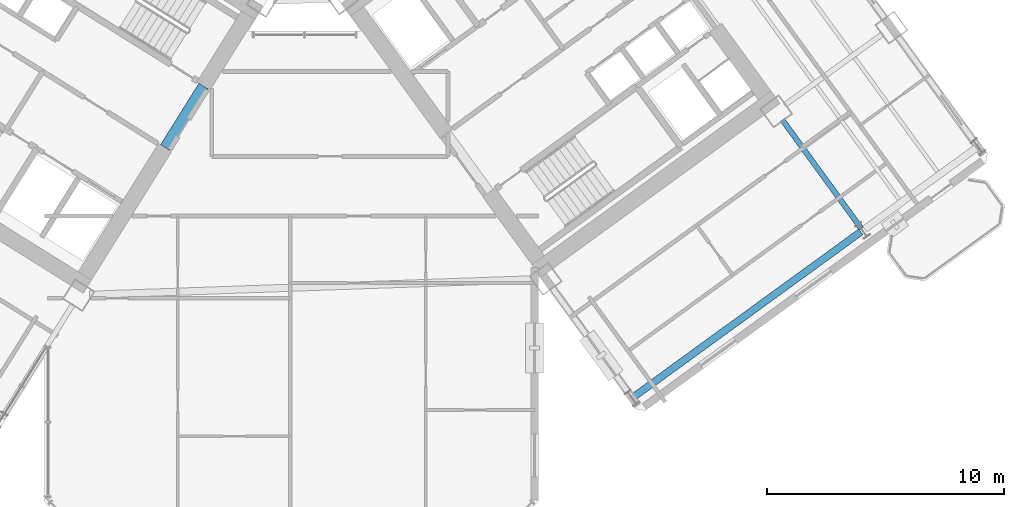
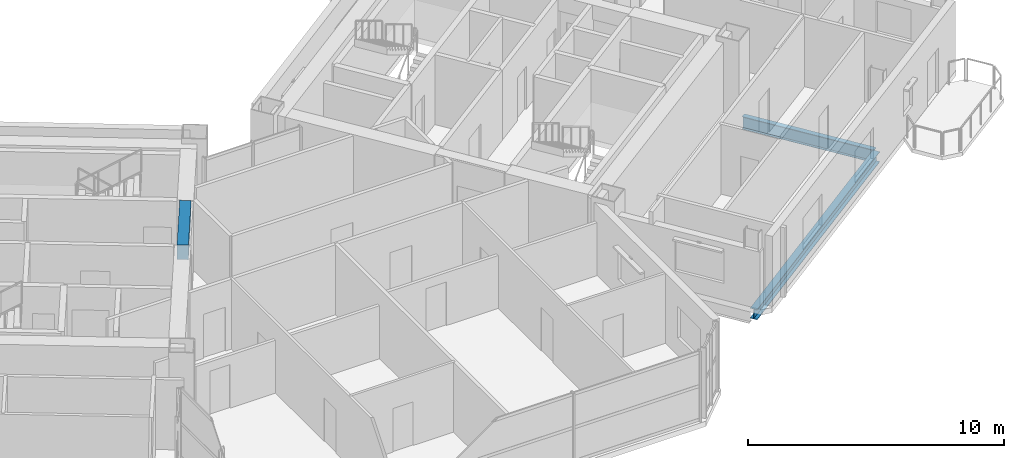
# One storey, part 10 of 24: 3 beams.
"""IFC4 building model written with IfcOpenShell, lengths in metres."""

from ifc_helpers import new_model, si_unit, direction, frame, origin, origin_2d, place, context, subcontext, project, spatial, rectangle, i_section, extrude, source, transform, mapped, material, material_profile, profile_set, type_object, element, save


model = new_model("IFC4")

# Units and contexts
model_context = context("Model", 3, precision=1e-05, world=origin(), true_north=direction((0.0, 1.0)))
body_context = subcontext(model_context, "Body", "Model", "MODEL_VIEW")
ifc_project = project(units=[si_unit("LENGTHUNIT", "METRE"), si_unit("AREAUNIT", "SQUARE_METRE"), si_unit("VOLUMEUNIT", "CUBIC_METRE"), si_unit("PLANEANGLEUNIT", "RADIAN"), si_unit("MASSUNIT", "GRAM", prefix="KILO")], contexts=[model_context])

# Site, building, storey
site_placement = place(None, origin())
site = spatial("IfcSite", under=ifc_project, at=site_placement, CompositionType="ELEMENT")
building_placement = place(site_placement, origin())
building = spatial("IfcBuilding", under=site, at=building_placement, Name="Tlacorven Tower", CompositionType="ELEMENT")
storey_placement = place(building_placement, frame((0.0, 0.0, 31.199951171875)))
storey = spatial("IfcBuildingStorey", under=building, at=storey_placement, Name="L07", CompositionType="ELEMENT", Elevation=31.199951171875)

# Beams
ifc_material_1 = material(Name="Concrete C60/75", Category="concrete")
ifc_material_profile_1 = material_profile(ifc_material_1, rectangle(XDim=0.449951171875, YDim=0.699951171875, at=origin_2d()), Name="RC 450X700")
ifc_profile_set_1 = profile_set([ifc_material_profile_1], Name="Concrete C60/75")
beam_type_1 = type_object("IfcBeamType", Name="BM-LNT-700", PredefinedType="LINTEL", material=ifc_profile_set_1)
shared_shape_1 = source(origin(), body_context, "Body", "SweptSolid", [
    extrude(rectangle(XDim=0.449951171875, YDim=0.699951171875, at=origin_2d()), origin(), (0.0, 0.0, 1.0), 3.050048828125),
])
beam_1_placement = place(storey_placement, frame((38.2998046875, 20.890625, 3.0), z_axis=(-0.529984549635, -0.848007297815, 0.0), x_axis=(0.848007297815, -0.529984549635, 0.0)))
element("IfcBeam", 1, at=beam_1_placement, inside=storey, type_object=beam_type_1, Name="L07 W core coupling lintel beam E1", PredefinedType="LINTEL", context=body_context, shape_type="MappedRepresentation", body=[
    mapped(shared_shape_1, transform((0.0, 0.0, 0.0), scale=1.0)),
])
ifc_material_2 = material(Name="Steel S355J2", Category="steel")
ifc_material_profile_2 = material_profile(ifc_material_2, i_section(OverallWidth=0.219970703125, OverallDepth=0.60009765625, WebThickness=0.011962890625, FlangeThickness=0.01904296875, at=origin_2d()), Name="IPE 600")
ifc_profile_set_2 = profile_set([ifc_material_profile_2], Name="Steel S355J2")
beam_type_2 = type_object("IfcBeamType", Name="BM-TWR-600", PredefinedType="BEAM", material=ifc_profile_set_2)
shared_shape_2 = source(origin(), body_context, "Body", "SweptSolid", [
    extrude(i_section(OverallWidth=0.219970703125, OverallDepth=0.60009765625, WebThickness=0.011962890625, FlangeThickness=0.01904296875, at=origin_2d()), origin(), (0.0, 0.0, 1.0), 5.64990234375),
])
beam_2_placement = place(storey_placement, frame((65.9990234375, 14.891845703125, -0.550048828125), z_axis=(-0.587755393186, 0.809038687444, 0.0), x_axis=(-0.809038687444, -0.587755393186, 0.0)))
element("IfcBeam", 2, at=beam_2_placement, inside=storey, type_object=beam_type_2, Name="L07 beam BM-L07-ET3-1", PredefinedType="BEAM", context=body_context, shape_type="MappedRepresentation", body=[
    mapped(shared_shape_2, transform((0.0, 0.0, 0.0), scale=1.0)),
])
ifc_material_profile_3 = material_profile(ifc_material_2, i_section(OverallWidth=0.300048828125, OverallDepth=0.489990234375, WebThickness=0.011962890625, FlangeThickness=0.02294921875, at=origin_2d()), Name="HEA 500")
ifc_profile_set_3 = profile_set([ifc_material_profile_3], Name="Steel S355J2")
beam_type_3 = type_object("IfcBeamType", Name="BM-SPN-500", PredefinedType="SPANDREL", material=ifc_profile_set_3)
shared_shape_3 = source(origin(), body_context, "Body", "SweptSolid", [
    extrude(i_section(OverallWidth=0.300048828125, OverallDepth=0.489990234375, WebThickness=0.011962890625, FlangeThickness=0.02294921875, at=origin_2d()), origin(), (0.0, 0.0, 1.0), 11.800048828125),
])
beam_3_placement = place(storey_placement, frame((56.4306640625, 7.816162109375, -0.494873046875), z_axis=(0.80900977213, 0.587795192732, 0.0), x_axis=(-0.587795192732, 0.80900977213, 0.0)))
element("IfcBeam", 3, at=beam_3_placement, inside=storey, type_object=beam_type_3, Name="L07 beam BM-L07-EL1-1", PredefinedType="SPANDREL", context=body_context, shape_type="MappedRepresentation", body=[
    mapped(shared_shape_3, transform((0.0, 0.0, 0.0), scale=1.0)),
])

save(model, "model.ifc")
